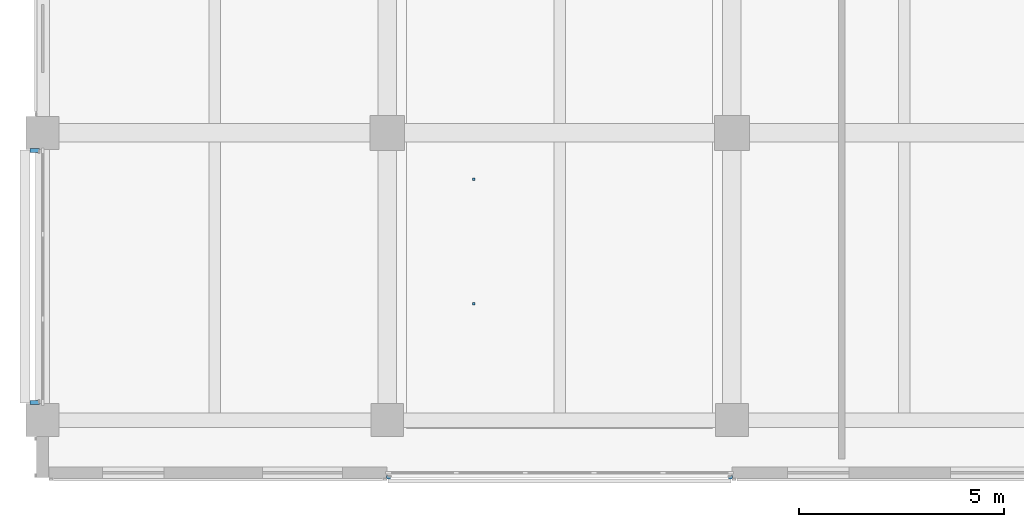
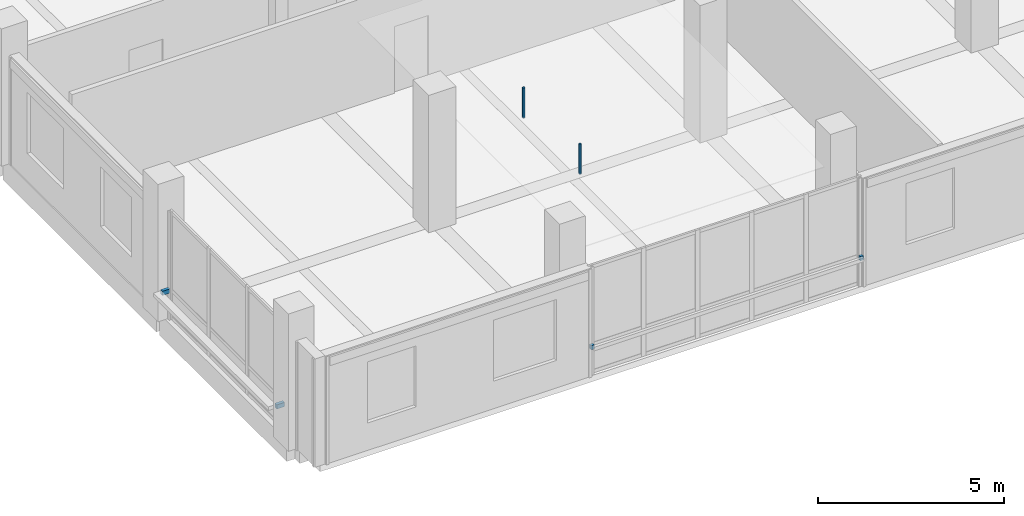
# One storey, part 14 of 36: 6 discrete accessories.
"""IFC4 building model written with IfcOpenShell, lengths in metres."""

from ifc_helpers import new_model, si_unit, direction, frame, origin, origin_2d, place, context, subcontext, project, spatial, rectangle, extrude, material, type_object, element, save


model = new_model("IFC4")

# Units and contexts
model_context = context("Model", 3, precision=1e-05, world=origin(), true_north=direction((0.0, 1.0)))
body_context = subcontext(model_context, "Body", "Model", "MODEL_VIEW")
ifc_project = project(units=[si_unit("LENGTHUNIT", "METRE"), si_unit("AREAUNIT", "SQUARE_METRE"), si_unit("VOLUMEUNIT", "CUBIC_METRE"), si_unit("PLANEANGLEUNIT", "RADIAN"), si_unit("MASSUNIT", "GRAM", prefix="KILO")], contexts=[model_context])

# Site, building, storey
site_placement = place(None, origin())
site = spatial("IfcSite", under=ifc_project, at=site_placement, CompositionType="ELEMENT")
building_placement = place(site_placement, origin())
building = spatial("IfcBuilding", under=site, at=building_placement, Name="Telukmera Botanical Conservatory", CompositionType="ELEMENT")
storey_placement = place(building_placement, frame((0.0, 0.0, 33.0)))
storey = spatial("IfcBuildingStorey", under=building, at=storey_placement, Name="L07", CompositionType="ELEMENT", Elevation=33.0)

# Discrete accessories
ifc_material = material(Name="Steel S355", Category="steel")
discrete_accessory_type_1 = type_object("IfcDiscreteAccessoryType", Name="ACC-CEIL-HGR", PredefinedType="BRACKET", material=ifc_material)
for number, where, z_axis, x_axis, name in (
    (1, (60.9111328125, 13.4375, 3.31982421875), (0.0, 0.0, 1.0), (1.0, 0.0, 0.0), "L07 Suspended Ceiling Hanger Rod 023-1"),
    (2, (60.9111328125, 16.47509765625, 3.31982421875), (0.0, 0.0, 1.0), (1.0, 0.0, 0.0), "L07 Suspended Ceiling Hanger Rod 023-2"),
):
    element("IfcDiscreteAccessory", number, at=place(storey_placement, frame(where, z_axis=z_axis, x_axis=x_axis)), inside=storey, type_object=discrete_accessory_type_1, Name=name, PredefinedType="BRACKET", context=body_context, shape_type="SweptSolid", body=[
        extrude(rectangle(XDim=0.06005859375, YDim=0.06005859375, at=origin_2d()), origin(), (0.0, 0.0, 1.0), 0.985107421875),
    ])
discrete_accessory_type_2 = type_object("IfcDiscreteAccessoryType", Name="Structural Steel Facade Outrigger Fin Bracket", PredefinedType="BRACKET", material=ifc_material)
for number, where, z_axis, x_axis, name in (
    (3, (58.83203125, 9.205078125, 0.8798828125), (0.0, 0.0, 1.0), (1.0, 0.0, 0.0), "Facade Outrigger Bracket V4:L07:S2 A"),
    (4, (67.16796875, 9.205078125, 0.8798828125), (0.0, 0.0, 1.0), (1.0, 0.0, 0.0), "Facade Outrigger Bracket V4:L07:S2 B"),
):
    element("IfcDiscreteAccessory", number, at=place(storey_placement, frame(where, z_axis=z_axis, x_axis=x_axis)), inside=storey, type_object=discrete_accessory_type_2, Name=name, PredefinedType="BRACKET", context=body_context, shape_type="SweptSolid", body=[
        extrude(rectangle(XDim=0.10009765625, YDim=0.090087890625, at=origin_2d()), origin(), (0.0, 0.0, 1.0), 0.139892578125),
    ])
for number, where, z_axis, x_axis, name in (
    (5, (50.2099609375, 11.031982421875, 0.8798828125), (0.0, 0.0, 1.0), (0.0, 1.0, 0.0), "Facade Outrigger Bracket V4:L07:W1 A"),
    (6, (50.2099609375, 17.16796875, 0.8798828125), (0.0, 0.0, 1.0), (0.0, 1.0, 0.0), "Facade Outrigger Bracket V4:L07:W1 B"),
):
    element("IfcDiscreteAccessory", number, at=place(storey_placement, frame(where, z_axis=z_axis, x_axis=x_axis)), inside=storey, type_object=discrete_accessory_type_2, Name=name, PredefinedType="BRACKET", context=body_context, shape_type="SweptSolid", body=[
        extrude(rectangle(XDim=0.10009765625, YDim=0.239990234375, at=origin_2d()), origin(), (0.0, 0.0, 1.0), 0.139892578125),
    ])

save(model, "model.ifc")
